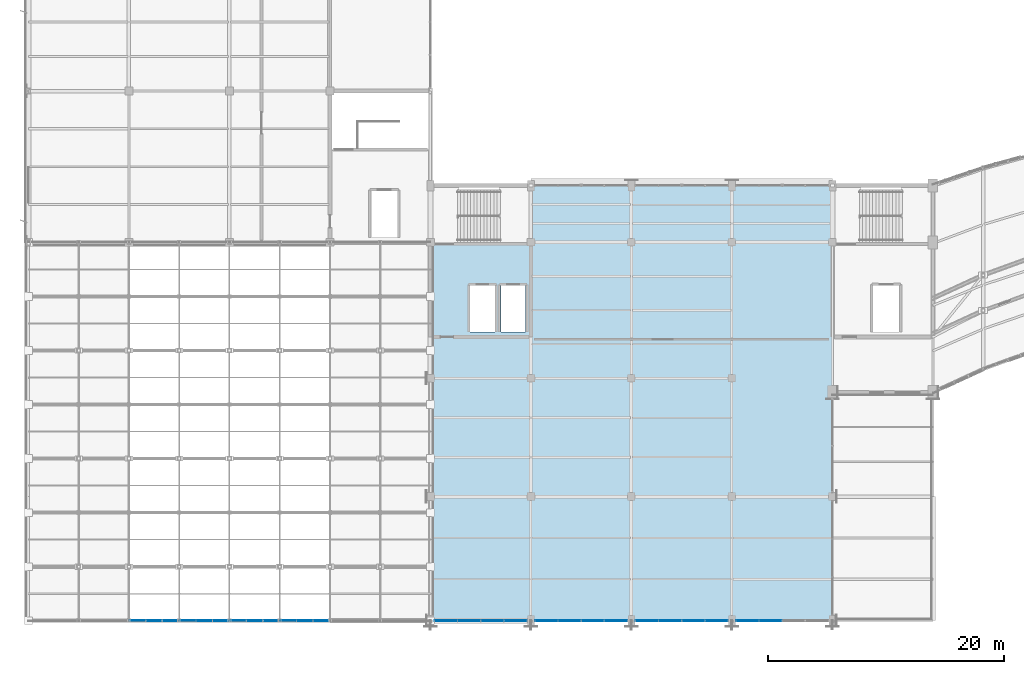
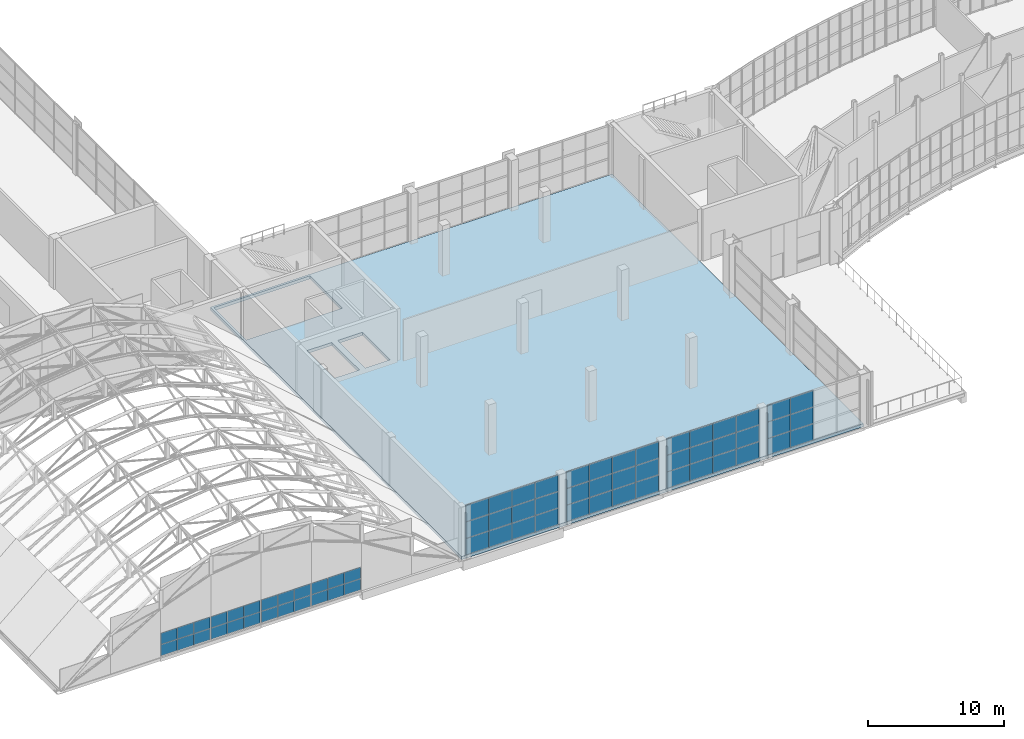
# One storey, part 55 of 86: 66 plates, 1 slab, 8 elements without a shape of their own.
"""IFC4 building model written with IfcOpenShell, lengths in metres."""

from ifc_helpers import new_model, si_unit, direction, frame, origin, origin_2d, place, context, subcontext, project, spatial, polyline, rectangle, outline, extrude, material, layer, layer_set, type_object, element, aggregate, save


model = new_model("IFC4")

# Units and contexts
model_context = context("Model", 3, precision=1e-05, world=origin(), true_north=direction((0.0, 1.0)))
body_context = subcontext(model_context, "Body", "Model", "MODEL_VIEW")
ifc_project = project(units=[si_unit("LENGTHUNIT", "METRE"), si_unit("AREAUNIT", "SQUARE_METRE"), si_unit("VOLUMEUNIT", "CUBIC_METRE"), si_unit("PLANEANGLEUNIT", "RADIAN"), si_unit("MASSUNIT", "GRAM", prefix="KILO")], contexts=[model_context])

# Site, building, storey
site_placement = place(None, origin())
site = spatial("IfcSite", under=ifc_project, at=site_placement, CompositionType="ELEMENT")
building_placement = place(site_placement, origin())
building = spatial("IfcBuilding", under=site, at=building_placement, Name="Solvikara Media Centre", CompositionType="ELEMENT")
storey_placement = place(building_placement, frame((0.0, 0.0, 15.0)))
storey = spatial("IfcBuildingStorey", under=building, at=storey_placement, Name="L03", CompositionType="ELEMENT", Elevation=15.0)

# Curtain wall, plates
ifc_material_1 = material(Name="Anodised aluminium EN AW-6063", Category="aluminium")
curtain_wall_type_1 = type_object("IfcCurtainWallType", Name="CW-04", PredefinedType="NOTDEFINED", material=ifc_material_1)
curtain_wall_1_placement = place(storey_placement, origin())
curtain_wall_1 = element("IfcCurtainWall", 1, at=curtain_wall_1_placement, inside=storey, type_object=curtain_wall_type_1, Name="CW-L03-V6S-1", PredefinedType="NOTDEFINED")
ifc_material_2 = material(Name="Ceramic-fritted teal low-E glass", Category="glass")
ifc_layer_1 = layer(ifc_material_2, 0.0380859375)
ifc_layer_set_1 = layer_set([ifc_layer_1], Name="Ceramic-fritted teal low-E glass")
plate_type_1 = type_object("IfcPlateType", Name="PN-08", PredefinedType="CURTAIN_PANEL", material=ifc_layer_set_1)
plate_1_placement = place(storey_placement, frame((35.31689453125, 0.0, 0.034423828125), z_axis=(0.0, 0.0, 1.0), x_axis=(1.0, 0.0, 0.0)))
plate_1 = element("IfcPlate", 2, at=plate_1_placement, type_object=plate_type_1, Name="CW-L03-V6S-1-P0000", PredefinedType="CURTAIN_PANEL", context=body_context, shape_type="SweptSolid", body=[
    extrude(rectangle(XDim=1.925048828125, YDim=0.0380859375, at=origin_2d()), origin(), (0.0, 0.0, 1.0), 1.45703125),
])
plate_2_placement = place(storey_placement, frame((35.31689453125, 0.0, 3.008544921875), z_axis=(0.0, 0.0, 1.0), x_axis=(1.0, 0.0, 0.0)))
plate_2 = element("IfcPlate", 3, at=plate_2_placement, type_object=plate_type_1, Name="CW-L03-V6S-1-P0002", PredefinedType="CURTAIN_PANEL", context=body_context, shape_type="SweptSolid", body=[
    extrude(rectangle(XDim=1.925048828125, YDim=0.0380859375, at=origin_2d()), origin(), (0.0, 0.0, 1.0), 1.45703125),
])
plate_3_placement = place(storey_placement, frame((37.27197265625, 0.0, 1.521484375), z_axis=(0.0, 0.0, 1.0), x_axis=(1.0, 0.0, 0.0)))
plate_3 = element("IfcPlate", 4, at=plate_3_placement, type_object=plate_type_1, Name="CW-L03-V6S-1-P0101", PredefinedType="CURTAIN_PANEL", context=body_context, shape_type="SweptSolid", body=[
    extrude(rectangle(XDim=1.925048828125, YDim=0.0380859375, at=origin_2d()), origin(), (0.0, 0.0, 1.0), 1.45703125),
])
plate_4_placement = place(storey_placement, frame((39.22705078125, 0.0, 0.034423828125), z_axis=(0.0, 0.0, 1.0), x_axis=(1.0, 0.0, 0.0)))
plate_4 = element("IfcPlate", 5, at=plate_4_placement, type_object=plate_type_1, Name="CW-L03-V6S-1-P0200", PredefinedType="CURTAIN_PANEL", context=body_context, shape_type="SweptSolid", body=[
    extrude(rectangle(XDim=1.925048828125, YDim=0.0380859375, at=origin_2d()), origin(), (0.0, 0.0, 1.0), 1.45703125),
])
plate_5_placement = place(storey_placement, frame((39.22705078125, 0.0, 3.008544921875), z_axis=(0.0, 0.0, 1.0), x_axis=(1.0, 0.0, 0.0)))
plate_5 = element("IfcPlate", 6, at=plate_5_placement, type_object=plate_type_1, Name="CW-L03-V6S-1-P0202", PredefinedType="CURTAIN_PANEL", context=body_context, shape_type="SweptSolid", body=[
    extrude(rectangle(XDim=1.925048828125, YDim=0.0380859375, at=origin_2d()), origin(), (0.0, 0.0, 1.0), 1.45703125),
])
plate_6_placement = place(storey_placement, frame((41.181884765625, 0.0, 1.521484375), z_axis=(0.0, 0.0, 1.0), x_axis=(1.0, 0.0, 0.0)))
plate_6 = element("IfcPlate", 7, at=plate_6_placement, type_object=plate_type_1, Name="CW-L03-V6S-1-P0301", PredefinedType="CURTAIN_PANEL", context=body_context, shape_type="SweptSolid", body=[
    extrude(rectangle(XDim=1.925048828125, YDim=0.0380859375, at=origin_2d()), origin(), (0.0, 0.0, 1.0), 1.45703125),
])

curtain_wall_2_placement = place(storey_placement, origin())
curtain_wall_2 = element("IfcCurtainWall", 8, at=curtain_wall_2_placement, inside=storey, type_object=curtain_wall_type_1, Name="CW-L03-V6S-2", PredefinedType="NOTDEFINED")
plate_7_placement = place(storey_placement, frame((43.81689453125, 0.0, 0.034423828125), z_axis=(0.0, 0.0, 1.0), x_axis=(1.0, 0.0, 0.0)))
plate_7 = element("IfcPlate", 9, at=plate_7_placement, type_object=plate_type_1, Name="CW-L03-V6S-2-P0000", PredefinedType="CURTAIN_PANEL", context=body_context, shape_type="SweptSolid", body=[
    extrude(rectangle(XDim=1.925048828125, YDim=0.0380859375, at=origin_2d()), origin(), (0.0, 0.0, 1.0), 1.45703125),
])
plate_8_placement = place(storey_placement, frame((43.81689453125, 0.0, 3.008544921875), z_axis=(0.0, 0.0, 1.0), x_axis=(1.0, 0.0, 0.0)))
plate_8 = element("IfcPlate", 10, at=plate_8_placement, type_object=plate_type_1, Name="CW-L03-V6S-2-P0002", PredefinedType="CURTAIN_PANEL", context=body_context, shape_type="SweptSolid", body=[
    extrude(rectangle(XDim=1.925048828125, YDim=0.0380859375, at=origin_2d()), origin(), (0.0, 0.0, 1.0), 1.45703125),
])
plate_9_placement = place(storey_placement, frame((45.77197265625, 0.0, 1.521484375), z_axis=(0.0, 0.0, 1.0), x_axis=(1.0, 0.0, 0.0)))
plate_9 = element("IfcPlate", 11, at=plate_9_placement, type_object=plate_type_1, Name="CW-L03-V6S-2-P0101", PredefinedType="CURTAIN_PANEL", context=body_context, shape_type="SweptSolid", body=[
    extrude(rectangle(XDim=1.925048828125, YDim=0.0380859375, at=origin_2d()), origin(), (0.0, 0.0, 1.0), 1.45703125),
])
plate_10_placement = place(storey_placement, frame((47.72705078125, 0.0, 0.034423828125), z_axis=(0.0, 0.0, 1.0), x_axis=(1.0, 0.0, 0.0)))
plate_10 = element("IfcPlate", 12, at=plate_10_placement, type_object=plate_type_1, Name="CW-L03-V6S-2-P0200", PredefinedType="CURTAIN_PANEL", context=body_context, shape_type="SweptSolid", body=[
    extrude(rectangle(XDim=1.925048828125, YDim=0.0380859375, at=origin_2d()), origin(), (0.0, 0.0, 1.0), 1.45703125),
])
plate_11_placement = place(storey_placement, frame((47.72705078125, 0.0, 3.008544921875), z_axis=(0.0, 0.0, 1.0), x_axis=(1.0, 0.0, 0.0)))
plate_11 = element("IfcPlate", 13, at=plate_11_placement, type_object=plate_type_1, Name="CW-L03-V6S-2-P0202", PredefinedType="CURTAIN_PANEL", context=body_context, shape_type="SweptSolid", body=[
    extrude(rectangle(XDim=1.925048828125, YDim=0.0380859375, at=origin_2d()), origin(), (0.0, 0.0, 1.0), 1.45703125),
])
plate_12_placement = place(storey_placement, frame((49.681884765625, 0.0, 1.521484375), z_axis=(0.0, 0.0, 1.0), x_axis=(1.0, 0.0, 0.0)))
plate_12 = element("IfcPlate", 14, at=plate_12_placement, type_object=plate_type_1, Name="CW-L03-V6S-2-P0301", PredefinedType="CURTAIN_PANEL", context=body_context, shape_type="SweptSolid", body=[
    extrude(rectangle(XDim=1.925048828125, YDim=0.0380859375, at=origin_2d()), origin(), (0.0, 0.0, 1.0), 1.45703125),
])

curtain_wall_3_placement = place(storey_placement, origin())
curtain_wall_3 = element("IfcCurtainWall", 15, at=curtain_wall_3_placement, inside=storey, type_object=curtain_wall_type_1, Name="CW-L03-V6S-3", PredefinedType="NOTDEFINED")
plate_13_placement = place(storey_placement, frame((52.31689453125, 0.0, 0.034423828125), z_axis=(0.0, 0.0, 1.0), x_axis=(1.0, 0.0, 0.0)))
plate_13 = element("IfcPlate", 16, at=plate_13_placement, type_object=plate_type_1, Name="CW-L03-V6S-3-P0000", PredefinedType="CURTAIN_PANEL", context=body_context, shape_type="SweptSolid", body=[
    extrude(rectangle(XDim=1.925048828125, YDim=0.0380859375, at=origin_2d()), origin(), (0.0, 0.0, 1.0), 1.45703125),
])
plate_14_placement = place(storey_placement, frame((52.31689453125, 0.0, 3.008544921875), z_axis=(0.0, 0.0, 1.0), x_axis=(1.0, 0.0, 0.0)))
plate_14 = element("IfcPlate", 17, at=plate_14_placement, type_object=plate_type_1, Name="CW-L03-V6S-3-P0002", PredefinedType="CURTAIN_PANEL", context=body_context, shape_type="SweptSolid", body=[
    extrude(rectangle(XDim=1.925048828125, YDim=0.0380859375, at=origin_2d()), origin(), (0.0, 0.0, 1.0), 1.45703125),
])
plate_15_placement = place(storey_placement, frame((54.27197265625, 0.0, 1.521484375), z_axis=(0.0, 0.0, 1.0), x_axis=(1.0, 0.0, 0.0)))
plate_15 = element("IfcPlate", 18, at=plate_15_placement, type_object=plate_type_1, Name="CW-L03-V6S-3-P0101", PredefinedType="CURTAIN_PANEL", context=body_context, shape_type="SweptSolid", body=[
    extrude(rectangle(XDim=1.925048828125, YDim=0.0380859375, at=origin_2d()), origin(), (0.0, 0.0, 1.0), 1.45703125),
])
plate_16_placement = place(storey_placement, frame((56.22705078125, 0.0, 0.034423828125), z_axis=(0.0, 0.0, 1.0), x_axis=(1.0, 0.0, 0.0)))
plate_16 = element("IfcPlate", 19, at=plate_16_placement, type_object=plate_type_1, Name="CW-L03-V6S-3-P0200", PredefinedType="CURTAIN_PANEL", context=body_context, shape_type="SweptSolid", body=[
    extrude(rectangle(XDim=1.925048828125, YDim=0.0380859375, at=origin_2d()), origin(), (0.0, 0.0, 1.0), 1.45703125),
])
plate_17_placement = place(storey_placement, frame((56.22705078125, 0.0, 3.008544921875), z_axis=(0.0, 0.0, 1.0), x_axis=(1.0, 0.0, 0.0)))
plate_17 = element("IfcPlate", 20, at=plate_17_placement, type_object=plate_type_1, Name="CW-L03-V6S-3-P0202", PredefinedType="CURTAIN_PANEL", context=body_context, shape_type="SweptSolid", body=[
    extrude(rectangle(XDim=1.925048828125, YDim=0.0380859375, at=origin_2d()), origin(), (0.0, 0.0, 1.0), 1.45703125),
])
plate_18_placement = place(storey_placement, frame((58.181884765625, 0.0, 1.521484375), z_axis=(0.0, 0.0, 1.0), x_axis=(1.0, 0.0, 0.0)))
plate_18 = element("IfcPlate", 21, at=plate_18_placement, type_object=plate_type_1, Name="CW-L03-V6S-3-P0301", PredefinedType="CURTAIN_PANEL", context=body_context, shape_type="SweptSolid", body=[
    extrude(rectangle(XDim=1.925048828125, YDim=0.0380859375, at=origin_2d()), origin(), (0.0, 0.0, 1.0), 1.45703125),
])

curtain_wall_4_placement = place(storey_placement, origin())
curtain_wall_4 = element("IfcCurtainWall", 22, at=curtain_wall_4_placement, inside=storey, type_object=curtain_wall_type_1, Name="CW-L03-V6S-4", PredefinedType="NOTDEFINED")
plate_19_placement = place(storey_placement, frame((60.81689453125, 0.0, 0.034423828125), z_axis=(0.0, 0.0, 1.0), x_axis=(1.0, 0.0, 0.0)))
plate_19 = element("IfcPlate", 23, at=plate_19_placement, type_object=plate_type_1, Name="CW-L03-V6S-4-P0000", PredefinedType="CURTAIN_PANEL", context=body_context, shape_type="SweptSolid", body=[
    extrude(rectangle(XDim=1.925048828125, YDim=0.0380859375, at=origin_2d()), origin(), (0.0, 0.0, 1.0), 1.45703125),
])
plate_20_placement = place(storey_placement, frame((60.81689453125, 0.0, 3.008544921875), z_axis=(0.0, 0.0, 1.0), x_axis=(1.0, 0.0, 0.0)))
plate_20 = element("IfcPlate", 24, at=plate_20_placement, type_object=plate_type_1, Name="CW-L03-V6S-4-P0002", PredefinedType="CURTAIN_PANEL", context=body_context, shape_type="SweptSolid", body=[
    extrude(rectangle(XDim=1.925048828125, YDim=0.0380859375, at=origin_2d()), origin(), (0.0, 0.0, 1.0), 1.45703125),
])
plate_21_placement = place(storey_placement, frame((62.77197265625, 0.0, 1.521484375), z_axis=(0.0, 0.0, 1.0), x_axis=(1.0, 0.0, 0.0)))
plate_21 = element("IfcPlate", 25, at=plate_21_placement, type_object=plate_type_1, Name="CW-L03-V6S-4-P0101", PredefinedType="CURTAIN_PANEL", context=body_context, shape_type="SweptSolid", body=[
    extrude(rectangle(XDim=1.925048828125, YDim=0.0380859375, at=origin_2d()), origin(), (0.0, 0.0, 1.0), 1.45703125),
])

# Plate
ifc_material_3 = material(Name="Insulated silver-pearl glass spandrel panel", Category="glass")
ifc_layer_2 = layer(ifc_material_3, 0.054931640625)
ifc_layer_set_2 = layer_set([ifc_layer_2], Name="Insulated silver-pearl glass spandrel panel")
plate_type_2 = type_object("IfcPlateType", Name="PN-09", PredefinedType="CURTAIN_PANEL", material=ifc_layer_set_2)
plate_22_placement = place(storey_placement, frame((35.31689453125, 0.0, 1.521484375), z_axis=(0.0, 0.0, 1.0), x_axis=(1.0, 0.0, 0.0)))
plate_22 = element("IfcPlate", 26, at=plate_22_placement, type_object=plate_type_2, Name="CW-L03-V6S-1-P0001", PredefinedType="CURTAIN_PANEL", context=body_context, shape_type="SweptSolid", body=[
    extrude(rectangle(XDim=1.925048828125, YDim=0.054931640625, at=origin_2d()), origin(), (0.0, 0.0, 1.0), 1.45703125),
])

plate_23_placement = place(storey_placement, frame((37.27197265625, 0.0, 0.034423828125), z_axis=(0.0, 0.0, 1.0), x_axis=(1.0, 0.0, 0.0)))
plate_23 = element("IfcPlate", 27, at=plate_23_placement, type_object=plate_type_2, Name="CW-L03-V6S-1-P0100", PredefinedType="CURTAIN_PANEL", context=body_context, shape_type="SweptSolid", body=[
    extrude(rectangle(XDim=1.925048828125, YDim=0.054931640625, at=origin_2d()), origin(), (0.0, 0.0, 1.0), 1.45703125),
])

plate_24_placement = place(storey_placement, frame((37.27197265625, 0.0, 3.008544921875), z_axis=(0.0, 0.0, 1.0), x_axis=(1.0, 0.0, 0.0)))
plate_24 = element("IfcPlate", 28, at=plate_24_placement, type_object=plate_type_2, Name="CW-L03-V6S-1-P0102", PredefinedType="CURTAIN_PANEL", context=body_context, shape_type="SweptSolid", body=[
    extrude(rectangle(XDim=1.925048828125, YDim=0.054931640625, at=origin_2d()), origin(), (0.0, 0.0, 1.0), 1.45703125),
])

plate_25_placement = place(storey_placement, frame((39.22705078125, 0.0, 1.521484375), z_axis=(0.0, 0.0, 1.0), x_axis=(1.0, 0.0, 0.0)))
plate_25 = element("IfcPlate", 29, at=plate_25_placement, type_object=plate_type_2, Name="CW-L03-V6S-1-P0201", PredefinedType="CURTAIN_PANEL", context=body_context, shape_type="SweptSolid", body=[
    extrude(rectangle(XDim=1.925048828125, YDim=0.054931640625, at=origin_2d()), origin(), (0.0, 0.0, 1.0), 1.45703125),
])

plate_26_placement = place(storey_placement, frame((41.181884765625, 0.0, 0.034423828125), z_axis=(0.0, 0.0, 1.0), x_axis=(1.0, 0.0, 0.0)))
plate_26 = element("IfcPlate", 30, at=plate_26_placement, type_object=plate_type_2, Name="CW-L03-V6S-1-P0300", PredefinedType="CURTAIN_PANEL", context=body_context, shape_type="SweptSolid", body=[
    extrude(rectangle(XDim=1.925048828125, YDim=0.054931640625, at=origin_2d()), origin(), (0.0, 0.0, 1.0), 1.45703125),
])

plate_27_placement = place(storey_placement, frame((41.181884765625, 0.0, 3.008544921875), z_axis=(0.0, 0.0, 1.0), x_axis=(1.0, 0.0, 0.0)))
plate_27 = element("IfcPlate", 31, at=plate_27_placement, type_object=plate_type_2, Name="CW-L03-V6S-1-P0302", PredefinedType="CURTAIN_PANEL", context=body_context, shape_type="SweptSolid", body=[
    extrude(rectangle(XDim=1.925048828125, YDim=0.054931640625, at=origin_2d()), origin(), (0.0, 0.0, 1.0), 1.45703125),
])

aggregate(curtain_wall_1, [plate_1, plate_22, plate_2, plate_23, plate_3, plate_24, plate_4, plate_25, plate_5, plate_26, plate_6, plate_27])

plate_28_placement = place(storey_placement, frame((43.81689453125, 0.0, 1.521484375), z_axis=(0.0, 0.0, 1.0), x_axis=(1.0, 0.0, 0.0)))
plate_28 = element("IfcPlate", 32, at=plate_28_placement, type_object=plate_type_2, Name="CW-L03-V6S-2-P0001", PredefinedType="CURTAIN_PANEL", context=body_context, shape_type="SweptSolid", body=[
    extrude(rectangle(XDim=1.925048828125, YDim=0.054931640625, at=origin_2d()), origin(), (0.0, 0.0, 1.0), 1.45703125),
])

plate_29_placement = place(storey_placement, frame((45.77197265625, 0.0, 0.034423828125), z_axis=(0.0, 0.0, 1.0), x_axis=(1.0, 0.0, 0.0)))
plate_29 = element("IfcPlate", 33, at=plate_29_placement, type_object=plate_type_2, Name="CW-L03-V6S-2-P0100", PredefinedType="CURTAIN_PANEL", context=body_context, shape_type="SweptSolid", body=[
    extrude(rectangle(XDim=1.925048828125, YDim=0.054931640625, at=origin_2d()), origin(), (0.0, 0.0, 1.0), 1.45703125),
])

plate_30_placement = place(storey_placement, frame((45.77197265625, 0.0, 3.008544921875), z_axis=(0.0, 0.0, 1.0), x_axis=(1.0, 0.0, 0.0)))
plate_30 = element("IfcPlate", 34, at=plate_30_placement, type_object=plate_type_2, Name="CW-L03-V6S-2-P0102", PredefinedType="CURTAIN_PANEL", context=body_context, shape_type="SweptSolid", body=[
    extrude(rectangle(XDim=1.925048828125, YDim=0.054931640625, at=origin_2d()), origin(), (0.0, 0.0, 1.0), 1.45703125),
])

plate_31_placement = place(storey_placement, frame((47.72705078125, 0.0, 1.521484375), z_axis=(0.0, 0.0, 1.0), x_axis=(1.0, 0.0, 0.0)))
plate_31 = element("IfcPlate", 35, at=plate_31_placement, type_object=plate_type_2, Name="CW-L03-V6S-2-P0201", PredefinedType="CURTAIN_PANEL", context=body_context, shape_type="SweptSolid", body=[
    extrude(rectangle(XDim=1.925048828125, YDim=0.054931640625, at=origin_2d()), origin(), (0.0, 0.0, 1.0), 1.45703125),
])

plate_32_placement = place(storey_placement, frame((49.681884765625, 0.0, 0.034423828125), z_axis=(0.0, 0.0, 1.0), x_axis=(1.0, 0.0, 0.0)))
plate_32 = element("IfcPlate", 36, at=plate_32_placement, type_object=plate_type_2, Name="CW-L03-V6S-2-P0300", PredefinedType="CURTAIN_PANEL", context=body_context, shape_type="SweptSolid", body=[
    extrude(rectangle(XDim=1.925048828125, YDim=0.054931640625, at=origin_2d()), origin(), (0.0, 0.0, 1.0), 1.45703125),
])

plate_33_placement = place(storey_placement, frame((49.681884765625, 0.0, 3.008544921875), z_axis=(0.0, 0.0, 1.0), x_axis=(1.0, 0.0, 0.0)))
plate_33 = element("IfcPlate", 37, at=plate_33_placement, type_object=plate_type_2, Name="CW-L03-V6S-2-P0302", PredefinedType="CURTAIN_PANEL", context=body_context, shape_type="SweptSolid", body=[
    extrude(rectangle(XDim=1.925048828125, YDim=0.054931640625, at=origin_2d()), origin(), (0.0, 0.0, 1.0), 1.45703125),
])

aggregate(curtain_wall_2, [plate_7, plate_28, plate_8, plate_29, plate_9, plate_30, plate_10, plate_31, plate_11, plate_32, plate_12, plate_33])

plate_34_placement = place(storey_placement, frame((52.31689453125, 0.0, 1.521484375), z_axis=(0.0, 0.0, 1.0), x_axis=(1.0, 0.0, 0.0)))
plate_34 = element("IfcPlate", 38, at=plate_34_placement, type_object=plate_type_2, Name="CW-L03-V6S-3-P0001", PredefinedType="CURTAIN_PANEL", context=body_context, shape_type="SweptSolid", body=[
    extrude(rectangle(XDim=1.925048828125, YDim=0.054931640625, at=origin_2d()), origin(), (0.0, 0.0, 1.0), 1.45703125),
])

plate_35_placement = place(storey_placement, frame((54.27197265625, 0.0, 0.034423828125), z_axis=(0.0, 0.0, 1.0), x_axis=(1.0, 0.0, 0.0)))
plate_35 = element("IfcPlate", 39, at=plate_35_placement, type_object=plate_type_2, Name="CW-L03-V6S-3-P0100", PredefinedType="CURTAIN_PANEL", context=body_context, shape_type="SweptSolid", body=[
    extrude(rectangle(XDim=1.925048828125, YDim=0.054931640625, at=origin_2d()), origin(), (0.0, 0.0, 1.0), 1.45703125),
])

plate_36_placement = place(storey_placement, frame((54.27197265625, 0.0, 3.008544921875), z_axis=(0.0, 0.0, 1.0), x_axis=(1.0, 0.0, 0.0)))
plate_36 = element("IfcPlate", 40, at=plate_36_placement, type_object=plate_type_2, Name="CW-L03-V6S-3-P0102", PredefinedType="CURTAIN_PANEL", context=body_context, shape_type="SweptSolid", body=[
    extrude(rectangle(XDim=1.925048828125, YDim=0.054931640625, at=origin_2d()), origin(), (0.0, 0.0, 1.0), 1.45703125),
])

plate_37_placement = place(storey_placement, frame((56.22705078125, 0.0, 1.521484375), z_axis=(0.0, 0.0, 1.0), x_axis=(1.0, 0.0, 0.0)))
plate_37 = element("IfcPlate", 41, at=plate_37_placement, type_object=plate_type_2, Name="CW-L03-V6S-3-P0201", PredefinedType="CURTAIN_PANEL", context=body_context, shape_type="SweptSolid", body=[
    extrude(rectangle(XDim=1.925048828125, YDim=0.054931640625, at=origin_2d()), origin(), (0.0, 0.0, 1.0), 1.45703125),
])

plate_38_placement = place(storey_placement, frame((58.181884765625, 0.0, 0.034423828125), z_axis=(0.0, 0.0, 1.0), x_axis=(1.0, 0.0, 0.0)))
plate_38 = element("IfcPlate", 42, at=plate_38_placement, type_object=plate_type_2, Name="CW-L03-V6S-3-P0300", PredefinedType="CURTAIN_PANEL", context=body_context, shape_type="SweptSolid", body=[
    extrude(rectangle(XDim=1.925048828125, YDim=0.054931640625, at=origin_2d()), origin(), (0.0, 0.0, 1.0), 1.45703125),
])

plate_39_placement = place(storey_placement, frame((58.181884765625, 0.0, 3.008544921875), z_axis=(0.0, 0.0, 1.0), x_axis=(1.0, 0.0, 0.0)))
plate_39 = element("IfcPlate", 43, at=plate_39_placement, type_object=plate_type_2, Name="CW-L03-V6S-3-P0302", PredefinedType="CURTAIN_PANEL", context=body_context, shape_type="SweptSolid", body=[
    extrude(rectangle(XDim=1.925048828125, YDim=0.054931640625, at=origin_2d()), origin(), (0.0, 0.0, 1.0), 1.45703125),
])

aggregate(curtain_wall_3, [plate_13, plate_34, plate_14, plate_35, plate_15, plate_36, plate_16, plate_37, plate_17, plate_38, plate_18, plate_39])

plate_40_placement = place(storey_placement, frame((60.81689453125, 0.0, 1.521484375), z_axis=(0.0, 0.0, 1.0), x_axis=(1.0, 0.0, 0.0)))
plate_40 = element("IfcPlate", 44, at=plate_40_placement, type_object=plate_type_2, Name="CW-L03-V6S-4-P0001", PredefinedType="CURTAIN_PANEL", context=body_context, shape_type="SweptSolid", body=[
    extrude(rectangle(XDim=1.925048828125, YDim=0.054931640625, at=origin_2d()), origin(), (0.0, 0.0, 1.0), 1.45703125),
])

plate_41_placement = place(storey_placement, frame((62.77197265625, 0.0, 0.034423828125), z_axis=(0.0, 0.0, 1.0), x_axis=(1.0, 0.0, 0.0)))
plate_41 = element("IfcPlate", 45, at=plate_41_placement, type_object=plate_type_2, Name="CW-L03-V6S-4-P0100", PredefinedType="CURTAIN_PANEL", context=body_context, shape_type="SweptSolid", body=[
    extrude(rectangle(XDim=1.925048828125, YDim=0.054931640625, at=origin_2d()), origin(), (0.0, 0.0, 1.0), 1.45703125),
])

plate_42_placement = place(storey_placement, frame((62.77197265625, 0.0, 3.008544921875), z_axis=(0.0, 0.0, 1.0), x_axis=(1.0, 0.0, 0.0)))
plate_42 = element("IfcPlate", 46, at=plate_42_placement, type_object=plate_type_2, Name="CW-L03-V6S-4-P0102", PredefinedType="CURTAIN_PANEL", context=body_context, shape_type="SweptSolid", body=[
    extrude(rectangle(XDim=1.925048828125, YDim=0.054931640625, at=origin_2d()), origin(), (0.0, 0.0, 1.0), 1.45703125),
])

aggregate(curtain_wall_4, [plate_19, plate_40, plate_20, plate_41, plate_21, plate_42])

# Curtain wall, plates
curtain_wall_type_2 = type_object("IfcCurtainWallType", Name="CW-07", PredefinedType="NOTDEFINED", material=ifc_material_1)
curtain_wall_5_placement = place(storey_placement, origin())
curtain_wall_5 = element("IfcCurtainWall", 47, at=curtain_wall_5_placement, inside=storey, type_object=curtain_wall_type_2, Name="CW-GC-CLR-02", PredefinedType="NOTDEFINED")
ifc_material_4 = material(Name="Double-glazed low-E architectural glass", Category="glass")
ifc_layer_3 = layer(ifc_material_4, 0.035888671875)
ifc_layer_set_3 = layer_set([ifc_layer_3], Name="Double-glazed low-E architectural glass")
plate_type_3 = type_object("IfcPlateType", Name="PN-10", PredefinedType="CURTAIN_PANEL", material=ifc_layer_set_3)
plate_43_placement = place(storey_placement, frame((9.23193359375, 0.0, 0.034912109375), z_axis=(0.0, 0.0, 1.0), x_axis=(1.0, 0.0, 0.0)))
plate_43 = element("IfcPlate", 48, at=plate_43_placement, type_object=plate_type_3, Name="CW-GC-CLR-02-P0000", PredefinedType="CURTAIN_PANEL", context=body_context, shape_type="SweptSolid", body=[
    extrude(rectangle(XDim=1.363037109375, YDim=0.035888671875, at=origin_2d()), origin(), (0.0, 0.0, 1.0), 1.0),
])
plate_44_placement = place(storey_placement, frame((9.23193359375, 0.0, 1.06494140625), z_axis=(0.0, 0.0, 1.0), x_axis=(1.0, 0.0, 0.0)))
plate_44 = element("IfcPlate", 49, at=plate_44_placement, type_object=plate_type_3, Name="CW-GC-CLR-02-P0001", PredefinedType="CURTAIN_PANEL", context=body_context, shape_type="SweptSolid", body=[
    extrude(rectangle(XDim=1.363037109375, YDim=0.035888671875, at=origin_2d()), origin(), (0.0, 0.0, 1.0), 1.0),
])
plate_45_placement = place(storey_placement, frame((10.625, 0.0, 1.06494140625), z_axis=(0.0, 0.0, 1.0), x_axis=(1.0, 0.0, 0.0)))
plate_45 = element("IfcPlate", 50, at=plate_45_placement, type_object=plate_type_3, Name="CW-GC-CLR-02-P0101", PredefinedType="CURTAIN_PANEL", context=body_context, shape_type="SweptSolid", body=[
    extrude(rectangle(XDim=1.363037109375, YDim=0.035888671875, at=origin_2d()), origin(), (0.0, 0.0, 1.0), 1.0),
])
plate_46_placement = place(storey_placement, frame((12.01806640625, 0.0, 0.034912109375), z_axis=(0.0, 0.0, 1.0), x_axis=(1.0, 0.0, 0.0)))
plate_46 = element("IfcPlate", 51, at=plate_46_placement, type_object=plate_type_3, Name="CW-GC-CLR-02-P0200", PredefinedType="CURTAIN_PANEL", context=body_context, shape_type="SweptSolid", body=[
    extrude(rectangle(XDim=1.363037109375, YDim=0.035888671875, at=origin_2d()), origin(), (0.0, 0.0, 1.0), 1.0),
])

curtain_wall_6_placement = place(storey_placement, origin())
curtain_wall_6 = element("IfcCurtainWall", 52, at=curtain_wall_6_placement, inside=storey, type_object=curtain_wall_type_2, Name="CW-GC-CLR-03", PredefinedType="NOTDEFINED")
plate_47_placement = place(storey_placement, frame((13.48193359375, 0.0, 0.034912109375), z_axis=(0.0, 0.0, 1.0), x_axis=(1.0, 0.0, 0.0)))
plate_47 = element("IfcPlate", 53, at=plate_47_placement, type_object=plate_type_3, Name="CW-GC-CLR-03-P0000", PredefinedType="CURTAIN_PANEL", context=body_context, shape_type="SweptSolid", body=[
    extrude(rectangle(XDim=1.363037109375, YDim=0.035888671875, at=origin_2d()), origin(), (0.0, 0.0, 1.0), 1.0),
])
plate_48_placement = place(storey_placement, frame((13.48193359375, 0.0, 1.06494140625), z_axis=(0.0, 0.0, 1.0), x_axis=(1.0, 0.0, 0.0)))
plate_48 = element("IfcPlate", 54, at=plate_48_placement, type_object=plate_type_3, Name="CW-GC-CLR-03-P0001", PredefinedType="CURTAIN_PANEL", context=body_context, shape_type="SweptSolid", body=[
    extrude(rectangle(XDim=1.363037109375, YDim=0.035888671875, at=origin_2d()), origin(), (0.0, 0.0, 1.0), 1.0),
])
plate_49_placement = place(storey_placement, frame((14.875, 0.0, 1.06494140625), z_axis=(0.0, 0.0, 1.0), x_axis=(1.0, 0.0, 0.0)))
plate_49 = element("IfcPlate", 55, at=plate_49_placement, type_object=plate_type_3, Name="CW-GC-CLR-03-P0101", PredefinedType="CURTAIN_PANEL", context=body_context, shape_type="SweptSolid", body=[
    extrude(rectangle(XDim=1.363037109375, YDim=0.035888671875, at=origin_2d()), origin(), (0.0, 0.0, 1.0), 1.0),
])
plate_50_placement = place(storey_placement, frame((16.26806640625, 0.0, 0.034912109375), z_axis=(0.0, 0.0, 1.0), x_axis=(1.0, 0.0, 0.0)))
plate_50 = element("IfcPlate", 56, at=plate_50_placement, type_object=plate_type_3, Name="CW-GC-CLR-03-P0200", PredefinedType="CURTAIN_PANEL", context=body_context, shape_type="SweptSolid", body=[
    extrude(rectangle(XDim=1.363037109375, YDim=0.035888671875, at=origin_2d()), origin(), (0.0, 0.0, 1.0), 1.0),
])

curtain_wall_7_placement = place(storey_placement, origin())
curtain_wall_7 = element("IfcCurtainWall", 57, at=curtain_wall_7_placement, inside=storey, type_object=curtain_wall_type_2, Name="CW-GC-CLR-04", PredefinedType="NOTDEFINED")
plate_51_placement = place(storey_placement, frame((17.73193359375, 0.0, 0.034912109375), z_axis=(0.0, 0.0, 1.0), x_axis=(1.0, 0.0, 0.0)))
plate_51 = element("IfcPlate", 58, at=plate_51_placement, type_object=plate_type_3, Name="CW-GC-CLR-04-P0000", PredefinedType="CURTAIN_PANEL", context=body_context, shape_type="SweptSolid", body=[
    extrude(rectangle(XDim=1.363037109375, YDim=0.035888671875, at=origin_2d()), origin(), (0.0, 0.0, 1.0), 1.0),
])
plate_52_placement = place(storey_placement, frame((17.73193359375, 0.0, 1.06494140625), z_axis=(0.0, 0.0, 1.0), x_axis=(1.0, 0.0, 0.0)))
plate_52 = element("IfcPlate", 59, at=plate_52_placement, type_object=plate_type_3, Name="CW-GC-CLR-04-P0001", PredefinedType="CURTAIN_PANEL", context=body_context, shape_type="SweptSolid", body=[
    extrude(rectangle(XDim=1.363037109375, YDim=0.035888671875, at=origin_2d()), origin(), (0.0, 0.0, 1.0), 1.0),
])
plate_53_placement = place(storey_placement, frame((19.125, 0.0, 1.06494140625), z_axis=(0.0, 0.0, 1.0), x_axis=(1.0, 0.0, 0.0)))
plate_53 = element("IfcPlate", 60, at=plate_53_placement, type_object=plate_type_3, Name="CW-GC-CLR-04-P0101", PredefinedType="CURTAIN_PANEL", context=body_context, shape_type="SweptSolid", body=[
    extrude(rectangle(XDim=1.363037109375, YDim=0.035888671875, at=origin_2d()), origin(), (0.0, 0.0, 1.0), 1.0),
])
plate_54_placement = place(storey_placement, frame((20.51806640625, 0.0, 0.034912109375), z_axis=(0.0, 0.0, 1.0), x_axis=(1.0, 0.0, 0.0)))
plate_54 = element("IfcPlate", 61, at=plate_54_placement, type_object=plate_type_3, Name="CW-GC-CLR-04-P0200", PredefinedType="CURTAIN_PANEL", context=body_context, shape_type="SweptSolid", body=[
    extrude(rectangle(XDim=1.363037109375, YDim=0.035888671875, at=origin_2d()), origin(), (0.0, 0.0, 1.0), 1.0),
])

curtain_wall_8_placement = place(storey_placement, origin())
curtain_wall_8 = element("IfcCurtainWall", 62, at=curtain_wall_8_placement, inside=storey, type_object=curtain_wall_type_2, Name="CW-GC-CLR-05", PredefinedType="NOTDEFINED")
plate_55_placement = place(storey_placement, frame((21.98193359375, 0.0, 0.034912109375), z_axis=(0.0, 0.0, 1.0), x_axis=(1.0, 0.0, 0.0)))
plate_55 = element("IfcPlate", 63, at=plate_55_placement, type_object=plate_type_3, Name="CW-GC-CLR-05-P0000", PredefinedType="CURTAIN_PANEL", context=body_context, shape_type="SweptSolid", body=[
    extrude(rectangle(XDim=1.363037109375, YDim=0.035888671875, at=origin_2d()), origin(), (0.0, 0.0, 1.0), 1.0),
])
plate_56_placement = place(storey_placement, frame((21.98193359375, 0.0, 1.06494140625), z_axis=(0.0, 0.0, 1.0), x_axis=(1.0, 0.0, 0.0)))
plate_56 = element("IfcPlate", 64, at=plate_56_placement, type_object=plate_type_3, Name="CW-GC-CLR-05-P0001", PredefinedType="CURTAIN_PANEL", context=body_context, shape_type="SweptSolid", body=[
    extrude(rectangle(XDim=1.363037109375, YDim=0.035888671875, at=origin_2d()), origin(), (0.0, 0.0, 1.0), 1.0),
])
plate_57_placement = place(storey_placement, frame((23.375, 0.0, 1.06494140625), z_axis=(0.0, 0.0, 1.0), x_axis=(1.0, 0.0, 0.0)))
plate_57 = element("IfcPlate", 65, at=plate_57_placement, type_object=plate_type_3, Name="CW-GC-CLR-05-P0101", PredefinedType="CURTAIN_PANEL", context=body_context, shape_type="SweptSolid", body=[
    extrude(rectangle(XDim=1.363037109375, YDim=0.035888671875, at=origin_2d()), origin(), (0.0, 0.0, 1.0), 1.0),
])
plate_58_placement = place(storey_placement, frame((24.76806640625, 0.0, 0.034912109375), z_axis=(0.0, 0.0, 1.0), x_axis=(1.0, 0.0, 0.0)))
plate_58 = element("IfcPlate", 66, at=plate_58_placement, type_object=plate_type_3, Name="CW-GC-CLR-05-P0200", PredefinedType="CURTAIN_PANEL", context=body_context, shape_type="SweptSolid", body=[
    extrude(rectangle(XDim=1.363037109375, YDim=0.035888671875, at=origin_2d()), origin(), (0.0, 0.0, 1.0), 1.0),
])

# Plate
ifc_layer_4 = layer(ifc_material_3, 0.054931640625)
ifc_layer_set_4 = layer_set([ifc_layer_4], Name="Insulated silver-pearl glass spandrel panel")
plate_type_4 = type_object("IfcPlateType", Name="PN-11", PredefinedType="CURTAIN_PANEL", material=ifc_layer_set_4)
plate_59_placement = place(storey_placement, frame((10.625, 0.0, 0.034912109375), z_axis=(0.0, 0.0, 1.0), x_axis=(1.0, 0.0, 0.0)))
plate_59 = element("IfcPlate", 67, at=plate_59_placement, type_object=plate_type_4, Name="CW-GC-CLR-02-P0100", PredefinedType="CURTAIN_PANEL", context=body_context, shape_type="SweptSolid", body=[
    extrude(rectangle(XDim=1.363037109375, YDim=0.054931640625, at=origin_2d()), origin(), (0.0, 0.0, 1.0), 1.0),
])

plate_60_placement = place(storey_placement, frame((12.01806640625, 0.0, 1.06494140625), z_axis=(0.0, 0.0, 1.0), x_axis=(1.0, 0.0, 0.0)))
plate_60 = element("IfcPlate", 68, at=plate_60_placement, type_object=plate_type_4, Name="CW-GC-CLR-02-P0201", PredefinedType="CURTAIN_PANEL", context=body_context, shape_type="SweptSolid", body=[
    extrude(rectangle(XDim=1.363037109375, YDim=0.054931640625, at=origin_2d()), origin(), (0.0, 0.0, 1.0), 1.0),
])

aggregate(curtain_wall_5, [plate_43, plate_44, plate_59, plate_45, plate_46, plate_60])

plate_61_placement = place(storey_placement, frame((14.875, 0.0, 0.034912109375), z_axis=(0.0, 0.0, 1.0), x_axis=(1.0, 0.0, 0.0)))
plate_61 = element("IfcPlate", 69, at=plate_61_placement, type_object=plate_type_4, Name="CW-GC-CLR-03-P0100", PredefinedType="CURTAIN_PANEL", context=body_context, shape_type="SweptSolid", body=[
    extrude(rectangle(XDim=1.363037109375, YDim=0.054931640625, at=origin_2d()), origin(), (0.0, 0.0, 1.0), 1.0),
])

plate_62_placement = place(storey_placement, frame((16.26806640625, 0.0, 1.06494140625), z_axis=(0.0, 0.0, 1.0), x_axis=(1.0, 0.0, 0.0)))
plate_62 = element("IfcPlate", 70, at=plate_62_placement, type_object=plate_type_4, Name="CW-GC-CLR-03-P0201", PredefinedType="CURTAIN_PANEL", context=body_context, shape_type="SweptSolid", body=[
    extrude(rectangle(XDim=1.363037109375, YDim=0.054931640625, at=origin_2d()), origin(), (0.0, 0.0, 1.0), 1.0),
])

aggregate(curtain_wall_6, [plate_47, plate_48, plate_61, plate_49, plate_50, plate_62])

plate_63_placement = place(storey_placement, frame((19.125, 0.0, 0.034912109375), z_axis=(0.0, 0.0, 1.0), x_axis=(1.0, 0.0, 0.0)))
plate_63 = element("IfcPlate", 71, at=plate_63_placement, type_object=plate_type_4, Name="CW-GC-CLR-04-P0100", PredefinedType="CURTAIN_PANEL", context=body_context, shape_type="SweptSolid", body=[
    extrude(rectangle(XDim=1.363037109375, YDim=0.054931640625, at=origin_2d()), origin(), (0.0, 0.0, 1.0), 1.0),
])

plate_64_placement = place(storey_placement, frame((20.51806640625, 0.0, 1.06494140625), z_axis=(0.0, 0.0, 1.0), x_axis=(1.0, 0.0, 0.0)))
plate_64 = element("IfcPlate", 72, at=plate_64_placement, type_object=plate_type_4, Name="CW-GC-CLR-04-P0201", PredefinedType="CURTAIN_PANEL", context=body_context, shape_type="SweptSolid", body=[
    extrude(rectangle(XDim=1.363037109375, YDim=0.054931640625, at=origin_2d()), origin(), (0.0, 0.0, 1.0), 1.0),
])

aggregate(curtain_wall_7, [plate_51, plate_52, plate_63, plate_53, plate_54, plate_64])

plate_65_placement = place(storey_placement, frame((23.375, 0.0, 0.034912109375), z_axis=(0.0, 0.0, 1.0), x_axis=(1.0, 0.0, 0.0)))
plate_65 = element("IfcPlate", 73, at=plate_65_placement, type_object=plate_type_4, Name="CW-GC-CLR-05-P0100", PredefinedType="CURTAIN_PANEL", context=body_context, shape_type="SweptSolid", body=[
    extrude(rectangle(XDim=1.363037109375, YDim=0.054931640625, at=origin_2d()), origin(), (0.0, 0.0, 1.0), 1.0),
])

plate_66_placement = place(storey_placement, frame((24.76806640625, 0.0, 1.06494140625), z_axis=(0.0, 0.0, 1.0), x_axis=(1.0, 0.0, 0.0)))
plate_66 = element("IfcPlate", 74, at=plate_66_placement, type_object=plate_type_4, Name="CW-GC-CLR-05-P0201", PredefinedType="CURTAIN_PANEL", context=body_context, shape_type="SweptSolid", body=[
    extrude(rectangle(XDim=1.363037109375, YDim=0.054931640625, at=origin_2d()), origin(), (0.0, 0.0, 1.0), 1.0),
])

aggregate(curtain_wall_8, [plate_55, plate_56, plate_65, plate_57, plate_58, plate_66])

# Slab
ifc_material_5 = material(Name="Concrete fc' 35 MPa (C35/45)", Category="concrete")
ifc_layer_5 = layer(ifc_material_5, 0.280029296875)
ifc_layer_set_5 = layer_set([ifc_layer_5], Name="Concrete fc' 35 MPa (C35/45)")
slab_type = type_object("IfcSlabType", Name="ST-05", PredefinedType="FLOOR", material=ifc_layer_set_5)
slab_placement = place(storey_placement, frame((0.0, 0.0, -0.280029296875)))
element("IfcSlab", 75, at=slab_placement, inside=storey, type_object=slab_type, Name="SL-L03-V6", PredefinedType="FLOOR", context=body_context, shape_type="SweptSolid", body=[
    extrude(outline(polyline([(34.0, 0.0), (68.0, 0.0), (68.0, 36.800048828125), (34.0, 36.800048828125), (34.0, 0.0)]), holes=[polyline([(34.179931640625, 31.85009765625), (42.320068359375, 31.85009765625), (42.320068359375, 36.6201171875), (34.179931640625, 36.6201171875), (34.179931640625, 31.85009765625)]), polyline([(37.35009765625, 24.39990234375), (39.449951171875, 24.39990234375), (39.449951171875, 28.449951171875), (37.35009765625, 28.449951171875), (37.35009765625, 24.39990234375)]), polyline([(39.949951171875, 24.39990234375), (42.050048828125, 24.39990234375), (42.050048828125, 28.449951171875), (39.949951171875, 28.449951171875), (39.949951171875, 24.39990234375)])]), origin(), (0.0, 0.0, 1.0), 0.280029296875),
])

save(model, "model.ifc")
